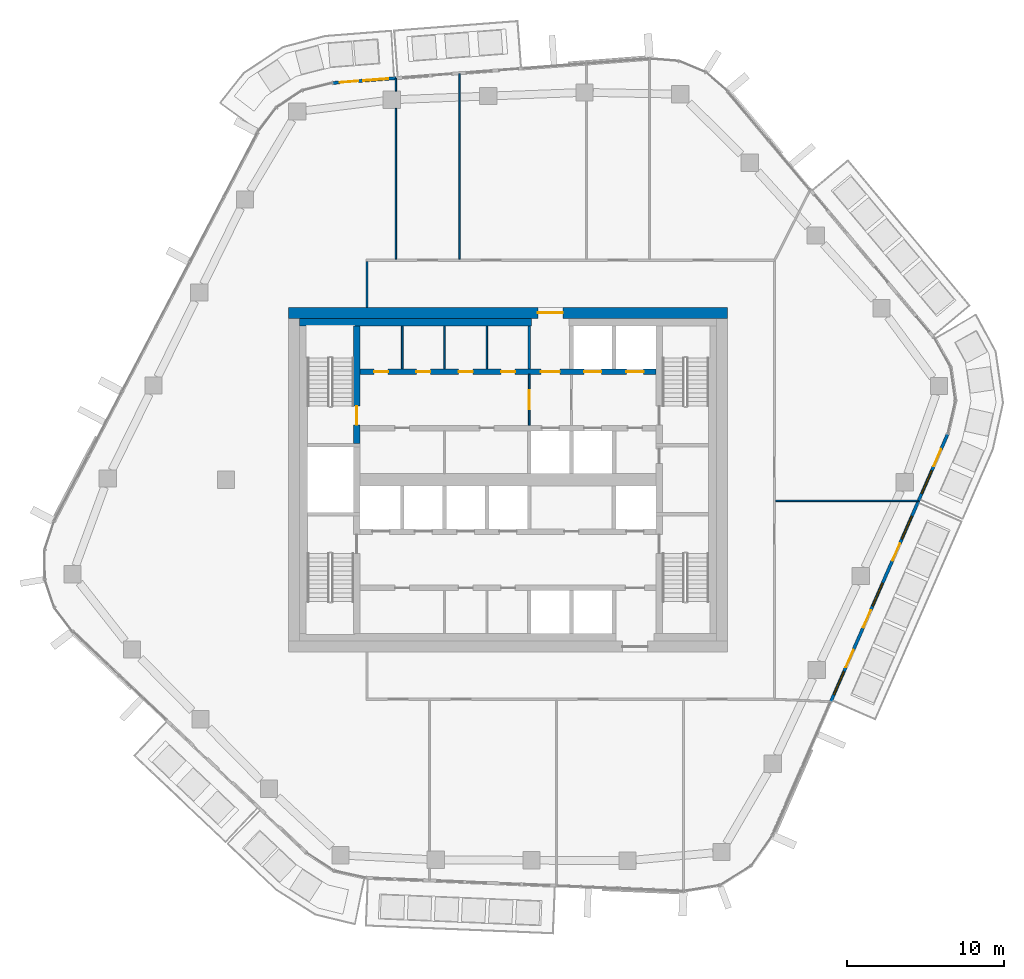
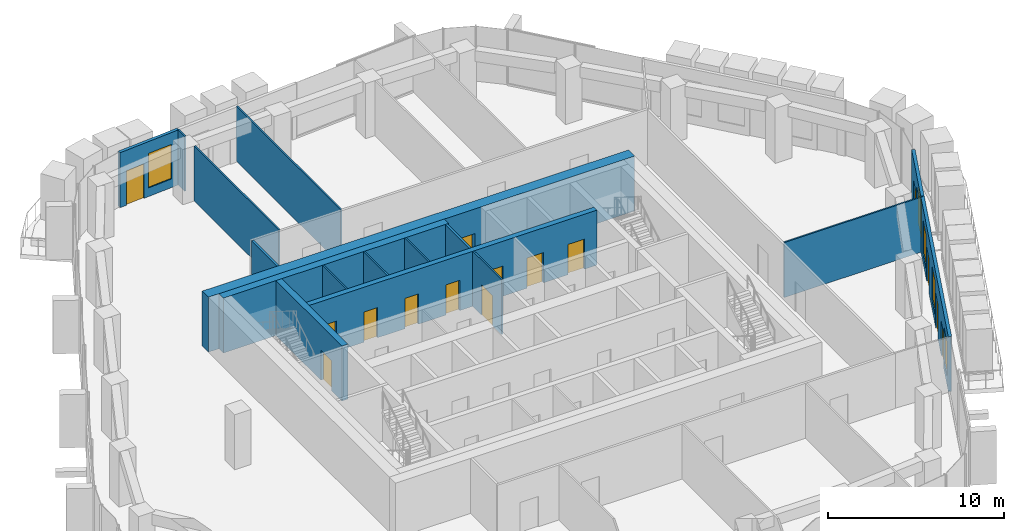
# One storey, part 12 of 20: 17 walls, 15 doors, 5 windows, 20 openings.
"""IFC4 building model written with IfcOpenShell, lengths in metres."""

from ifc_helpers import new_model, si_unit, direction, frame, frame_2d, origin, place, context, subcontext, project, spatial, rectangle, extrude, material, layer, layer_set, type_object, element, fill, save


model = new_model("IFC4")

# Units and contexts
model_context = context("Model", 3, precision=1e-05, world=origin(), true_north=direction((0.0, 1.0)))
body_context = subcontext(model_context, "Body", "Model", "MODEL_VIEW")
ifc_project = project(units=[si_unit("LENGTHUNIT", "METRE"), si_unit("AREAUNIT", "SQUARE_METRE"), si_unit("VOLUMEUNIT", "CUBIC_METRE"), si_unit("PLANEANGLEUNIT", "RADIAN"), si_unit("MASSUNIT", "GRAM", prefix="KILO")], contexts=[model_context])

# Site, building, storey
site_placement = place(None, origin())
site = spatial("IfcSite", under=ifc_project, at=site_placement, CompositionType="ELEMENT")
building_placement = place(site_placement, origin())
building = spatial("IfcBuilding", under=site, at=building_placement, Name="Dongbaek Canopy Tower", CompositionType="ELEMENT")
storey_placement = place(building_placement, frame((0.0, 0.0, 245.39990234375)))
storey = spatial("IfcBuildingStorey", under=building, at=storey_placement, Name="L51", CompositionType="ELEMENT", Elevation=245.39990234375)

# Wall, openings, doors
ifc_material_1 = material(Name="Concrete C60/75", Category="concrete")
ifc_layer_1 = layer(ifc_material_1, 0.35009765625)
ifc_layer_set_1 = layer_set([ifc_layer_1], Name="Core lobby wall 350 Concrete C60/75")
wall_type_1 = type_object("IfcWallType", Name="Core lobby wall 350 Concrete C60/75", PredefinedType="SHEAR", material=ifc_layer_set_1)
wall_1_placement = place(storey_placement, frame((-9.449951171875, 6.89990234375, 0.0), z_axis=(0.0, 0.0, 1.0), x_axis=(1.0, 0.0, 0.0)))
wall_1 = element("IfcWall", 1, at=wall_1_placement, inside=storey, type_object=wall_type_1, Name="Core wall", PredefinedType="SHEAR", context=body_context, shape_type="SweptSolid", body=[
    extrude(rectangle(XDim=18.89990234375, YDim=0.35009765625, at=frame_2d((9.449951171875, 0.0))), origin(), (0.0, 0.0, 1.0), 3.820068359375),
])
opening_1_placement = place(wall_1_placement, frame((11.550048828125, 0.0, 0.0)))
opening_1 = element("IfcOpeningElement", 2, at=opening_1_placement, cuts=wall_1, Name="Opening L51-D013", PredefinedType="OPENING", context=body_context, shape_type="SweptSolid", body=[
    extrude(rectangle(XDim=1.199951171875, YDim=2.10009765625, at=frame_2d((0.60009765625, 1.050048828125))), frame((0.0, 0.18505859375, 0.0), z_axis=(0.0, -1.0, 0.0), x_axis=(1.0, 0.0, 0.0)), (0.0, 0.0, 1.0), 0.3701171875),
])
opening_2_placement = place(wall_1_placement, frame((14.300048828125, 0.0, 0.0)))
opening_2 = element("IfcOpeningElement", 3, at=opening_2_placement, cuts=wall_1, Name="Opening L51-D014", PredefinedType="OPENING", context=body_context, shape_type="SweptSolid", body=[
    extrude(rectangle(XDim=1.10009765625, YDim=2.10009765625, at=frame_2d((0.550048828125, 1.050048828125))), frame((0.0, 0.18505859375, 0.0), z_axis=(0.0, -1.0, 0.0), x_axis=(1.0, 0.0, 0.0)), (0.0, 0.0, 1.0), 0.3701171875),
])
opening_3_placement = place(wall_1_placement, frame((17.0, 0.0, 0.0)))
opening_3 = element("IfcOpeningElement", 4, at=opening_3_placement, cuts=wall_1, Name="Opening L51-D015", PredefinedType="OPENING", context=body_context, shape_type="SweptSolid", body=[
    extrude(rectangle(XDim=1.10009765625, YDim=2.10009765625, at=frame_2d((0.550048828125, 1.050048828125))), frame((0.0, 0.18505859375, 0.0), z_axis=(0.0, -1.0, 0.0), x_axis=(1.0, 0.0, 0.0)), (0.0, 0.0, 1.0), 0.3701171875),
])
opening_4_placement = place(wall_1_placement, frame((0.89990234375, 0.0, 0.0)))
opening_4 = element("IfcOpeningElement", 5, at=opening_4_placement, cuts=wall_1, Name="Opening L51-D026", PredefinedType="OPENING", context=body_context, shape_type="SweptSolid", body=[
    extrude(rectangle(XDim=0.89990234375, YDim=2.10009765625, at=frame_2d((0.449951171875, 1.050048828125))), frame((0.0, 0.18505859375, 0.0), z_axis=(0.0, -1.0, 0.0), x_axis=(1.0, 0.0, 0.0)), (0.0, 0.0, 1.0), 0.3701171875),
])
opening_5_placement = place(wall_1_placement, frame((3.60009765625, 0.0, 0.0)))
opening_5 = element("IfcOpeningElement", 6, at=opening_5_placement, cuts=wall_1, Name="Opening L51-D027", PredefinedType="OPENING", context=body_context, shape_type="SweptSolid", body=[
    extrude(rectangle(XDim=0.89990234375, YDim=2.10009765625, at=frame_2d((0.449951171875, 1.050048828125))), frame((0.0, 0.18505859375, 0.0), z_axis=(0.0, -1.0, 0.0), x_axis=(1.0, 0.0, 0.0)), (0.0, 0.0, 1.0), 0.3701171875),
])
opening_6_placement = place(wall_1_placement, frame((6.300048828125, 0.0, 0.0)))
opening_6 = element("IfcOpeningElement", 7, at=opening_6_placement, cuts=wall_1, Name="Opening L51-D028", PredefinedType="OPENING", context=body_context, shape_type="SweptSolid", body=[
    extrude(rectangle(XDim=0.89990234375, YDim=2.10009765625, at=frame_2d((0.449951171875, 1.050048828125))), frame((0.0, 0.18505859375, 0.0), z_axis=(0.0, -1.0, 0.0), x_axis=(1.0, 0.0, 0.0)), (0.0, 0.0, 1.0), 0.3701171875),
])
opening_7_placement = place(wall_1_placement, frame((9.0, 0.0, 0.0)))
opening_7 = element("IfcOpeningElement", 8, at=opening_7_placement, cuts=wall_1, Name="Opening L51-D029", PredefinedType="OPENING", context=body_context, shape_type="SweptSolid", body=[
    extrude(rectangle(XDim=0.89990234375, YDim=2.10009765625, at=frame_2d((0.449951171875, 1.050048828125))), frame((0.0, 0.18505859375, 0.0), z_axis=(0.0, -1.0, 0.0), x_axis=(1.0, 0.0, 0.0)), (0.0, 0.0, 1.0), 0.3701171875),
])
ifc_material_2 = material(Name="Steel", Category="steel")
door_type_1 = type_object("IfcDoorType", Name="Core room door 900 x 2100", OperationType="SINGLE_SWING_LEFT", PredefinedType="DOOR", material=ifc_material_2)
door_1_placement = place(opening_4_placement, origin())
door_1 = element("IfcDoor", 9, at=door_1_placement, inside=storey, type_object=door_type_1, Name="Door L51-D026", OperationType="SINGLE_SWING_RIGHT", OverallHeight=2.10009765625, OverallWidth=0.89990234375, PredefinedType="DOOR", context=body_context, shape_type="SweptSolid", body=[
    extrude(rectangle(XDim=0.89990234375, YDim=2.10009765625, at=frame_2d((0.449951171875, 1.050048828125))), frame((0.0, 0.02490234375, 0.0), z_axis=(0.0, -1.0, 0.0), x_axis=(1.0, 0.0, 0.0)), (0.0, 0.0, 1.0), 0.050048828125),
])
fill(opening_4, door_1)
door_2_placement = place(opening_5_placement, origin())
door_2 = element("IfcDoor", 10, at=door_2_placement, inside=storey, type_object=door_type_1, Name="Door L51-D027", OperationType="SINGLE_SWING_LEFT", OverallHeight=2.10009765625, OverallWidth=0.89990234375, PredefinedType="DOOR", context=body_context, shape_type="SweptSolid", body=[
    extrude(rectangle(XDim=0.89990234375, YDim=2.10009765625, at=frame_2d((0.449951171875, 1.050048828125))), frame((0.0, 0.02490234375, 0.0), z_axis=(0.0, -1.0, 0.0), x_axis=(1.0, 0.0, 0.0)), (0.0, 0.0, 1.0), 0.050048828125),
])
fill(opening_5, door_2)
door_3_placement = place(opening_6_placement, origin())
door_3 = element("IfcDoor", 11, at=door_3_placement, inside=storey, type_object=door_type_1, Name="Door L51-D028", OperationType="SINGLE_SWING_RIGHT", OverallHeight=2.10009765625, OverallWidth=0.89990234375, PredefinedType="DOOR", context=body_context, shape_type="SweptSolid", body=[
    extrude(rectangle(XDim=0.89990234375, YDim=2.10009765625, at=frame_2d((0.449951171875, 1.050048828125))), frame((0.0, 0.02490234375, 0.0), z_axis=(0.0, -1.0, 0.0), x_axis=(1.0, 0.0, 0.0)), (0.0, 0.0, 1.0), 0.050048828125),
])
fill(opening_6, door_3)
door_4_placement = place(opening_7_placement, origin())
door_4 = element("IfcDoor", 12, at=door_4_placement, inside=storey, type_object=door_type_1, Name="Door L51-D029", OperationType="SINGLE_SWING_LEFT", OverallHeight=2.10009765625, OverallWidth=0.89990234375, PredefinedType="DOOR", context=body_context, shape_type="SweptSolid", body=[
    extrude(rectangle(XDim=0.89990234375, YDim=2.10009765625, at=frame_2d((0.449951171875, 1.050048828125))), frame((0.0, 0.02490234375, 0.0), z_axis=(0.0, -1.0, 0.0), x_axis=(1.0, 0.0, 0.0)), (0.0, 0.0, 1.0), 0.050048828125),
])
fill(opening_7, door_4)
ifc_material_3 = material(Name="Steel", Category="steel")
door_type_2 = type_object("IfcDoorType", Name="Fire lobby door 1200 x 2100", OperationType="SINGLE_SWING_LEFT", PredefinedType="DOOR", material=ifc_material_3)
door_5_placement = place(opening_1_placement, origin())
door_5 = element("IfcDoor", 13, at=door_5_placement, inside=storey, type_object=door_type_2, Name="Door L51-D013", OperationType="SINGLE_SWING_LEFT", OverallHeight=2.10009765625, OverallWidth=1.199951171875, PredefinedType="DOOR", context=body_context, shape_type="SweptSolid", body=[
    extrude(rectangle(XDim=1.199951171875, YDim=2.10009765625, at=frame_2d((0.60009765625, 1.050048828125))), frame((0.0, 0.02490234375, 0.0), z_axis=(0.0, -1.0, 0.0), x_axis=(1.0, 0.0, 0.0)), (0.0, 0.0, 1.0), 0.050048828125),
])
fill(opening_1, door_5)
ifc_material_4 = material(Name="Stainless steel", Category="steel")
door_type_3 = type_object("IfcDoorType", Name="Lift landing door 1100 x 2100", OperationType="DOUBLE_DOOR_SLIDING", PredefinedType="DOOR", material=ifc_material_4)
door_6_placement = place(opening_2_placement, origin())
door_6 = element("IfcDoor", 14, at=door_6_placement, inside=storey, type_object=door_type_3, Name="Landing door FF1", OperationType="DOUBLE_DOOR_SLIDING", OverallHeight=2.10009765625, OverallWidth=1.10009765625, PredefinedType="DOOR", context=body_context, shape_type="SweptSolid", body=[
    extrude(rectangle(XDim=1.10009765625, YDim=2.10009765625, at=frame_2d((0.550048828125, 1.050048828125))), frame((0.0, 0.02490234375, 0.0), z_axis=(0.0, -1.0, 0.0), x_axis=(1.0, 0.0, 0.0)), (0.0, 0.0, 1.0), 0.050048828125),
])
fill(opening_2, door_6)
door_7_placement = place(opening_3_placement, origin())
door_7 = element("IfcDoor", 15, at=door_7_placement, inside=storey, type_object=door_type_3, Name="Landing door FF2", OperationType="DOUBLE_DOOR_SLIDING", OverallHeight=2.10009765625, OverallWidth=1.10009765625, PredefinedType="DOOR", context=body_context, shape_type="SweptSolid", body=[
    extrude(rectangle(XDim=1.10009765625, YDim=2.10009765625, at=frame_2d((0.550048828125, 1.050048828125))), frame((0.0, 0.02490234375, 0.0), z_axis=(0.0, -1.0, 0.0), x_axis=(1.0, 0.0, 0.0)), (0.0, 0.0, 1.0), 0.050048828125),
])
fill(opening_3, door_7)

# Wall, opening, door
ifc_material_5 = material(Name="Concrete C70/85", Category="concrete")
ifc_layer_2 = layer(ifc_material_5, 0.699951171875)
ifc_layer_set_2 = layer_set([ifc_layer_2], Name="Core outer wall 700 Concrete C70/85")
wall_type_2 = type_object("IfcWallType", Name="Core outer wall 700 Concrete C70/85", PredefinedType="SHEAR", material=ifc_layer_set_2)
wall_2_placement = place(storey_placement, frame((-14.0, 10.64990234375, 0.0), z_axis=(0.0, 0.0, 1.0), x_axis=(1.0, 0.0, 0.0)))
wall_2 = element("IfcWall", 16, at=wall_2_placement, inside=storey, type_object=wall_type_2, Name="Core wall", PredefinedType="SHEAR", context=body_context, shape_type="SweptSolid", body=[
    extrude(rectangle(XDim=28.0, YDim=0.699951171875, at=frame_2d((14.0, 0.0))), origin(), (0.0, 0.0, 1.0), 3.820068359375),
])
opening_8_placement = place(wall_2_placement, frame((15.89990234375, 0.0, 0.0)))
opening_8 = element("IfcOpeningElement", 17, at=opening_8_placement, cuts=wall_2, Name="Opening L51-D012", PredefinedType="OPENING", context=body_context, shape_type="SweptSolid", body=[
    extrude(rectangle(XDim=1.60009765625, YDim=2.10009765625, at=frame_2d((0.800048828125, 1.050048828125))), frame((0.0, 0.35986328125, 0.0), z_axis=(0.0, -1.0, 0.0), x_axis=(1.0, 0.0, 0.0)), (0.0, 0.0, 1.0), 0.719970703125),
])
ifc_material_6 = material(Name="Steel", Category="steel")
door_type_4 = type_object("IfcDoorType", Name="Core exit door 1600 x 2100", OperationType="DOUBLE_DOOR_SINGLE_SWING", PredefinedType="DOOR", material=ifc_material_6)
door_8_placement = place(opening_8_placement, origin())
door_8 = element("IfcDoor", 18, at=door_8_placement, inside=storey, type_object=door_type_4, Name="Core exit door", OperationType="DOUBLE_DOOR_SINGLE_SWING", OverallHeight=2.10009765625, OverallWidth=1.60009765625, PredefinedType="DOOR", context=body_context, shape_type="SweptSolid", body=[
    extrude(rectangle(XDim=1.60009765625, YDim=2.10009765625, at=frame_2d((0.800048828125, 1.050048828125))), frame((0.0, 0.02490234375, 0.0), z_axis=(0.0, -1.0, 0.0), x_axis=(1.0, 0.0, 0.0)), (0.0, 0.0, 1.0), 0.050048828125),
])
fill(opening_8, door_8)

# Walls
ifc_material_7 = material(Name="Concrete C60/75", Category="concrete")
ifc_layer_3 = layer(ifc_material_7, 0.5)
ifc_layer_set_3 = layer_set([ifc_layer_3], Name="Core wall lining 500 Concrete C60/75")
wall_type_3 = type_object("IfcWallType", Name="Core wall lining 500 Concrete C60/75", PredefinedType="SHEAR", material=ifc_layer_set_3)
wall_3_placement = place(storey_placement, frame((-13.300048828125, 10.050048828125, 0.0), z_axis=(0.0, 0.0, 1.0), x_axis=(1.0, 0.0, 0.0)))
element("IfcWall", 19, at=wall_3_placement, inside=storey, type_object=wall_type_3, Name="Core wall lining", PredefinedType="SHEAR", context=body_context, shape_type="SweptSolid", body=[
    extrude(rectangle(XDim=14.800048828125, YDim=0.5, at=frame_2d((7.39990234375, 0.0))), origin(), (0.0, 0.0, 1.0), 3.820068359375),
])
ifc_material_8 = material(Name="Gypsum board partition, steel stud, 2 x 15 mm fire board", Category="steel")
ifc_layer_4 = layer(ifc_material_8, 0.14990234375)
ifc_layer_set_4 = layer_set([ifc_layer_4], Name="Fire-rated partition 150 gypsum board")
wall_type_4 = type_object("IfcWallType", Name="Fire-rated partition 150 gypsum board", PredefinedType="PARTITIONING", material=ifc_layer_set_4)
wall_4_placement = place(storey_placement, frame((-9.0, 11.0, 0.0), z_axis=(0.0, 0.0, 1.0), x_axis=(0.0, 1.0, 0.0)))
element("IfcWall", 20, at=wall_4_placement, inside=storey, type_object=wall_type_4, Name="Corridor partition", PredefinedType="PARTITIONING", context=body_context, shape_type="SweptSolid", body=[
    extrude(rectangle(XDim=2.925048828125, YDim=0.14990234375, at=frame_2d((1.46240234375, 0.0))), origin(), (0.0, 0.0, 1.0), 3.820068359375),
])
wall_5_placement = place(storey_placement, frame((1.35009765625, 7.074951171875, 0.0), z_axis=(0.0, 0.0, 1.0), x_axis=(0.0, 1.0, 0.0)))
element("IfcWall", 21, at=wall_5_placement, inside=storey, type_object=wall_type_4, Name="Fire lobby partition", PredefinedType="PARTITIONING", context=body_context, shape_type="SweptSolid", body=[
    extrude(rectangle(XDim=2.72509765625, YDim=0.14990234375, at=frame_2d((1.362548828125, 0.0))), origin(), (0.0, 0.0, 1.0), 3.820068359375),
])
ifc_material_9 = material(Name="Gypsum board partition, steel stud, 2 x 12.5 mm board", Category="steel")
ifc_layer_5 = layer(ifc_material_9, 0.10009765625)
ifc_layer_set_5 = layer_set([ifc_layer_5], Name="Partition 100 gypsum board")
wall_type_5 = type_object("IfcWallType", Name="Partition 100 gypsum board", PredefinedType="PARTITIONING", material=ifc_layer_set_5)
wall_6_placement = place(storey_placement, frame((17.074951171875, -1.341064453125, 0.0), z_axis=(0.0, 0.0, 1.0), x_axis=(1.0, 0.0, 0.0)))
element("IfcWall", 22, at=wall_6_placement, inside=storey, type_object=wall_type_5, Name="Partition", PredefinedType="PARTITIONING", context=body_context, shape_type="SweptSolid", body=[
    extrude(rectangle(XDim=9.090087890625, YDim=0.10009765625, at=frame_2d((4.544921875, 0.0))), origin(), (0.0, 0.0, 1.0), 3.820068359375),
])
wall_7_placement = place(storey_placement, frame((-3.10400390625, 14.074951171875, 0.0), z_axis=(0.0, 0.0, 1.0), x_axis=(0.0, 1.0, 0.0)))
element("IfcWall", 23, at=wall_7_placement, inside=storey, type_object=wall_type_5, Name="Partition", PredefinedType="PARTITIONING", context=body_context, shape_type="SweptSolid", body=[
    extrude(rectangle(XDim=11.83935546875, YDim=0.10009765625, at=frame_2d((5.919677734375, 0.0))), origin(), (0.0, 0.0, 1.0), 3.820068359375),
])
wall_8_placement = place(storey_placement, frame((-7.153076171875, 14.074951171875, 0.0), z_axis=(0.0, 0.0, 1.0), x_axis=(0.0, 1.0, 0.0)))
element("IfcWall", 24, at=wall_8_placement, inside=storey, type_object=wall_type_5, Name="Partition", PredefinedType="PARTITIONING", context=body_context, shape_type="SweptSolid", body=[
    extrude(rectangle(XDim=9.6181640625, YDim=0.10009765625, at=frame_2d((4.80908203125, 0.0))), origin(), (0.0, 0.0, 1.0), 3.820068359375),
])
wall_9_placement = place(storey_placement, frame((-7.153076171875, 24.79296875, 0.0), z_axis=(0.0, 0.0, 1.0), x_axis=(0.0, 1.0, 0.0)))
element("IfcWall", 25, at=wall_9_placement, inside=storey, type_object=wall_type_5, Name="Partition", PredefinedType="PARTITIONING", context=body_context, shape_type="SweptSolid", body=[
    extrude(rectangle(XDim=0.810546875, YDim=0.10009765625, at=frame_2d((0.4052734375, 0.0))), origin(), (0.0, 0.0, 1.0), 3.820068359375),
])

# Wall, opening, door
wall_10_placement = place(storey_placement, frame((1.35009765625, 6.72509765625, 0.0), z_axis=(0.0, 0.0, 1.0), x_axis=(0.0, -1.0, 0.0)))
wall_10 = element("IfcWall", 26, at=wall_10_placement, inside=storey, type_object=wall_type_5, Name="Core partition", PredefinedType="PARTITIONING", context=body_context, shape_type="SweptSolid", body=[
    extrude(rectangle(XDim=3.25, YDim=0.10009765625, at=frame_2d((1.625, 0.0))), origin(), (0.0, 0.0, 1.0), 3.820068359375),
])
opening_9_placement = place(wall_10_placement, frame((1.02490234375, 0.0, 0.0)))
opening_9 = element("IfcOpeningElement", 27, at=opening_9_placement, cuts=wall_10, Name="Opening L51-D040", PredefinedType="OPENING", context=body_context, shape_type="SweptSolid", body=[
    extrude(rectangle(XDim=1.199951171875, YDim=2.10009765625, at=frame_2d((0.60009765625, 1.050048828125))), frame((0.0, 0.06005859375, 0.0), z_axis=(0.0, -1.0, 0.0), x_axis=(1.0, 0.0, 0.0)), (0.0, 0.0, 1.0), 0.1201171875),
])
door_9_placement = place(opening_9_placement, origin())
door_9 = element("IfcDoor", 28, at=door_9_placement, inside=storey, type_object=door_type_2, Name="Door L51-D040", OperationType="SINGLE_SWING_LEFT", OverallHeight=2.10009765625, OverallWidth=1.199951171875, PredefinedType="DOOR", context=body_context, shape_type="SweptSolid", body=[
    extrude(rectangle(XDim=1.199951171875, YDim=2.10009765625, at=frame_2d((0.60009765625, 1.050048828125))), frame((0.0, 0.02490234375, 0.0), z_axis=(0.0, -1.0, 0.0), x_axis=(1.0, 0.0, 0.0)), (0.0, 0.0, 1.0), 0.050048828125),
])
fill(opening_9, door_9)

# Walls
for number, where, z_axis, x_axis, name in (
    (29, (-1.35009765625, 7.074951171875, 0.0), (0.0, 0.0, 1.0), (0.0, 1.0, 0.0), "Core partition"),
    (30, (-4.050048828125, 7.074951171875, 0.0), (0.0, 0.0, 1.0), (0.0, 1.0, 0.0), "Core partition"),
    (31, (-6.75, 7.074951171875, 0.0), (0.0, 0.0, 1.0), (0.0, 1.0, 0.0), "Core partition"),
):
    element("IfcWall", number, at=place(storey_placement, frame(where, z_axis=z_axis, x_axis=x_axis)), inside=storey, type_object=wall_type_5, Name=name, PredefinedType="PARTITIONING", context=body_context, shape_type="SweptSolid", body=[
        extrude(rectangle(XDim=2.72509765625, YDim=0.10009765625, at=frame_2d((1.362548828125, 0.0))), origin(), (0.0, 0.0, 1.0), 3.820068359375),
    ])

# Wall, opening, door
ifc_material_10 = material(Name="Concrete C60/75", Category="concrete")
ifc_layer_6 = layer(ifc_material_10, 0.39990234375)
ifc_layer_set_6 = layer_set([ifc_layer_6], Name="Stair wall 400 Concrete C60/75")
wall_type_6 = type_object("IfcWallType", Name="Stair wall 400 Concrete C60/75", PredefinedType="SHEAR", material=ifc_layer_set_6)
wall_11_placement = place(storey_placement, frame((-9.64990234375, 2.300048828125, 0.0), z_axis=(0.0, 0.0, 1.0), x_axis=(0.0, 1.0, 0.0)))
wall_11 = element("IfcWall", 32, at=wall_11_placement, inside=storey, type_object=wall_type_6, Name="Stair wall", PredefinedType="SHEAR", context=body_context, shape_type="SweptSolid", body=[
    extrude(rectangle(XDim=7.5, YDim=0.39990234375, at=frame_2d((3.75, 0.0))), origin(), (0.0, 0.0, 1.0), 3.820068359375),
])
opening_10_placement = place(wall_11_placement, frame((1.199951171875, 0.0, 0.0)))
opening_10 = element("IfcOpeningElement", 33, at=opening_10_placement, cuts=wall_11, Name="Opening L51-D037", PredefinedType="OPENING", context=body_context, shape_type="SweptSolid", body=[
    extrude(rectangle(XDim=1.199951171875, YDim=2.10009765625, at=frame_2d((0.60009765625, 1.050048828125))), frame((0.0, 0.2099609375, 0.0), z_axis=(0.0, -1.0, 0.0), x_axis=(1.0, 0.0, 0.0)), (0.0, 0.0, 1.0), 0.419921875),
])
ifc_material_11 = material(Name="Steel", Category="steel")
door_type_5 = type_object("IfcDoorType", Name="Stair door 1200 x 2100", OperationType="SINGLE_SWING_LEFT", PredefinedType="DOOR", material=ifc_material_11)
door_10_placement = place(opening_10_placement, origin())
door_10 = element("IfcDoor", 34, at=door_10_placement, inside=storey, type_object=door_type_5, Name="Stair C door", OperationType="SINGLE_SWING_RIGHT", OverallHeight=2.10009765625, OverallWidth=1.199951171875, PredefinedType="DOOR", context=body_context, shape_type="SweptSolid", body=[
    extrude(rectangle(XDim=1.199951171875, YDim=2.10009765625, at=frame_2d((0.60009765625, 1.050048828125))), frame((0.0, 0.02490234375, 0.0), z_axis=(0.0, -1.0, 0.0), x_axis=(1.0, 0.0, 0.0)), (0.0, 0.0, 1.0), 0.050048828125),
])
fill(opening_10, door_10)

# Wall, openings, door, window
ifc_material_12 = material(Name="Aluminium window wall", Category="aluminium")
ifc_layer_7 = layer(ifc_material_12, 0.199951171875)
ifc_layer_set_7 = layer_set([ifc_layer_7], Name="Window wall 200")
wall_type_7 = type_object("IfcWallType", Name="Window wall 200", PredefinedType="SOLIDWALL", material=ifc_layer_set_7)
wall_12_placement = place(storey_placement, frame((-7.153076171875, 25.62353515625, 0.0), z_axis=(0.0, 0.0, 1.0), x_axis=(-0.997068643963, -0.076512216183, 0.0)))
wall_12 = element("IfcWall", 35, at=wall_12_placement, inside=storey, type_object=wall_type_7, Name="Window wall L51 7", PredefinedType="SOLIDWALL", context=body_context, shape_type="SweptSolid", body=[
    extrude(rectangle(XDim=4.052490234375, YDim=0.199951171875, at=frame_2d((2.0263671875, 0.0))), origin(), (0.0, 0.0, 1.0), 3.820068359375),
])
opening_11_placement = place(wall_12_placement, frame((0.5, 0.0, 0.60009765625)))
opening_11 = element("IfcOpeningElement", 36, at=opening_11_placement, cuts=wall_12, Name="Opening W1", PredefinedType="OPENING", context=body_context, shape_type="SweptSolid", body=[
    extrude(rectangle(XDim=1.60009765625, YDim=2.39990234375, at=frame_2d((0.800048828125, 1.199951171875))), frame((0.0, 0.10986328125, 0.0), z_axis=(0.0, -1.0, 0.0), x_axis=(1.0, 0.0, 0.0)), (0.0, 0.0, 1.0), 0.219970703125),
])
opening_12_placement = place(wall_12_placement, frame((2.39990234375, 0.0, 0.0)))
opening_12 = element("IfcOpeningElement", 37, at=opening_12_placement, cuts=wall_12, Name="Opening L51-B06", PredefinedType="OPENING", context=body_context, shape_type="SweptSolid", body=[
    extrude(rectangle(XDim=1.199951171875, YDim=2.39990234375, at=frame_2d((0.60009765625, 1.199951171875))), frame((0.0, 0.10986328125, 0.0), z_axis=(0.0, -1.0, 0.0), x_axis=(1.0, 0.0, 0.0)), (0.0, 0.0, 1.0), 0.219970703125),
])
ifc_material_13 = material(Name="Clear glazing in aluminium frame", Category="aluminium")
door_type_6 = type_object("IfcDoorType", Name="Balcony door BD1 1200 x 2400", OperationType="SLIDING_TO_LEFT", PredefinedType="DOOR", material=ifc_material_13)
door_11_placement = place(opening_12_placement, origin())
door_11 = element("IfcDoor", 38, at=door_11_placement, inside=storey, type_object=door_type_6, Name="Balcony door L51-B06", OperationType="SLIDING_TO_LEFT", OverallHeight=2.39990234375, OverallWidth=1.199951171875, PredefinedType="DOOR", context=body_context, shape_type="SweptSolid", body=[
    extrude(rectangle(XDim=1.199951171875, YDim=2.39990234375, at=frame_2d((0.60009765625, 1.199951171875))), frame((0.0, 0.02490234375, 0.0), z_axis=(0.0, -1.0, 0.0), x_axis=(1.0, 0.0, 0.0)), (0.0, 0.0, 1.0), 0.050048828125),
])
fill(opening_12, door_11)
ifc_material_14 = material(Name="Clear glazing in aluminium frame", Category="aluminium")
window_type = type_object("IfcWindowType", Name="Window W1 1600 x 2400", PartitioningType="SINGLE_PANEL", PredefinedType="WINDOW", material=ifc_material_14)
window_1_placement = place(opening_11_placement, origin())
window_1 = element("IfcWindow", 39, at=window_1_placement, inside=storey, type_object=window_type, Name="Window L51 7.1", OverallHeight=2.39990234375, OverallWidth=1.60009765625, PartitioningType="SINGLE_PANEL", PredefinedType="WINDOW", context=body_context, shape_type="SweptSolid", body=[
    extrude(rectangle(XDim=1.60009765625, YDim=2.39990234375, at=frame_2d((0.800048828125, 1.199951171875))), frame((0.0, 0.030029296875, 0.0), z_axis=(0.0, -1.0, 0.0), x_axis=(1.0, 0.0, 0.0)), (0.0, 0.0, 1.0), 0.06005859375),
])
fill(opening_11, window_1)

# Wall, openings, doors, windows
wall_13_placement = place(storey_placement, frame((20.588134765625, -14.15771484375, 0.0), z_axis=(0.0, 0.0, 1.0), x_axis=(0.400286749381, 0.916389937892, 0.0)))
wall_13 = element("IfcWall", 40, at=wall_13_placement, inside=storey, type_object=wall_type_7, Name="Window wall L51 5", PredefinedType="SOLIDWALL", context=body_context, shape_type="SweptSolid", body=[
    extrude(rectangle(XDim=13.986572265625, YDim=0.199951171875, at=frame_2d((6.9931640625, 0.0))), origin(), (0.0, 0.0, 1.0), 3.820068359375),
])
opening_13_placement = place(wall_13_placement, frame((0.5, 0.0, 0.60009765625)))
opening_13 = element("IfcOpeningElement", 41, at=opening_13_placement, cuts=wall_13, Name="Opening W1", PredefinedType="OPENING", context=body_context, shape_type="SweptSolid", body=[
    extrude(rectangle(XDim=1.60009765625, YDim=2.39990234375, at=frame_2d((0.800048828125, 1.199951171875))), frame((0.0, 0.10986328125, 0.0), z_axis=(0.0, -1.0, 0.0), x_axis=(1.0, 0.0, 0.0)), (0.0, 0.0, 1.0), 0.219970703125),
])
opening_14_placement = place(wall_13_placement, frame((2.39990234375, 0.0, 0.0)))
opening_14 = element("IfcOpeningElement", 42, at=opening_14_placement, cuts=wall_13, Name="Opening L51-B13", PredefinedType="OPENING", context=body_context, shape_type="SweptSolid", body=[
    extrude(rectangle(XDim=1.199951171875, YDim=2.39990234375, at=frame_2d((0.60009765625, 1.199951171875))), frame((0.0, 0.10986328125, 0.0), z_axis=(0.0, -1.0, 0.0), x_axis=(1.0, 0.0, 0.0)), (0.0, 0.0, 1.0), 0.219970703125),
])
opening_15_placement = place(wall_13_placement, frame((6.662109375, 0.0, 0.60009765625)))
opening_15 = element("IfcOpeningElement", 43, at=opening_15_placement, cuts=wall_13, Name="Opening W1", PredefinedType="OPENING", context=body_context, shape_type="SweptSolid", body=[
    extrude(rectangle(XDim=1.60009765625, YDim=2.39990234375, at=frame_2d((0.800048828125, 1.199951171875))), frame((0.0, 0.10986328125, 0.0), z_axis=(0.0, -1.0, 0.0), x_axis=(1.0, 0.0, 0.0)), (0.0, 0.0, 1.0), 0.219970703125),
])
opening_16_placement = place(wall_13_placement, frame((5.162109375, 0.0, 0.0)))
opening_16 = element("IfcOpeningElement", 44, at=opening_16_placement, cuts=wall_13, Name="Opening L51-B14", PredefinedType="OPENING", context=body_context, shape_type="SweptSolid", body=[
    extrude(rectangle(XDim=1.199951171875, YDim=2.39990234375, at=frame_2d((0.60009765625, 1.199951171875))), frame((0.0, 0.10986328125, 0.0), z_axis=(0.0, -1.0, 0.0), x_axis=(1.0, 0.0, 0.0)), (0.0, 0.0, 1.0), 0.219970703125),
])
opening_17_placement = place(wall_13_placement, frame((11.324462890625, 0.0, 0.60009765625)))
opening_17 = element("IfcOpeningElement", 45, at=opening_17_placement, cuts=wall_13, Name="Opening W1", PredefinedType="OPENING", context=body_context, shape_type="SweptSolid", body=[
    extrude(rectangle(XDim=1.60009765625, YDim=2.39990234375, at=frame_2d((0.800048828125, 1.199951171875))), frame((0.0, 0.10986328125, 0.0), z_axis=(0.0, -1.0, 0.0), x_axis=(1.0, 0.0, 0.0)), (0.0, 0.0, 1.0), 0.219970703125),
])
opening_18_placement = place(wall_13_placement, frame((9.824462890625, 0.0, 0.0)))
opening_18 = element("IfcOpeningElement", 46, at=opening_18_placement, cuts=wall_13, Name="Opening L51-B15", PredefinedType="OPENING", context=body_context, shape_type="SweptSolid", body=[
    extrude(rectangle(XDim=1.199951171875, YDim=2.39990234375, at=frame_2d((0.60009765625, 1.199951171875))), frame((0.0, 0.10986328125, 0.0), z_axis=(0.0, -1.0, 0.0), x_axis=(1.0, 0.0, 0.0)), (0.0, 0.0, 1.0), 0.219970703125),
])
door_12_placement = place(opening_14_placement, origin())
door_12 = element("IfcDoor", 47, at=door_12_placement, inside=storey, type_object=door_type_6, Name="Balcony door L51-B13", OperationType="SLIDING_TO_LEFT", OverallHeight=2.39990234375, OverallWidth=1.199951171875, PredefinedType="DOOR", context=body_context, shape_type="SweptSolid", body=[
    extrude(rectangle(XDim=1.199951171875, YDim=2.39990234375, at=frame_2d((0.60009765625, 1.199951171875))), frame((0.0, 0.02490234375, 0.0), z_axis=(0.0, -1.0, 0.0), x_axis=(1.0, 0.0, 0.0)), (0.0, 0.0, 1.0), 0.050048828125),
])
fill(opening_14, door_12)
door_13_placement = place(opening_16_placement, origin())
door_13 = element("IfcDoor", 48, at=door_13_placement, inside=storey, type_object=door_type_6, Name="Balcony door L51-B14", OperationType="SLIDING_TO_LEFT", OverallHeight=2.39990234375, OverallWidth=1.199951171875, PredefinedType="DOOR", context=body_context, shape_type="SweptSolid", body=[
    extrude(rectangle(XDim=1.199951171875, YDim=2.39990234375, at=frame_2d((0.60009765625, 1.199951171875))), frame((0.0, 0.02490234375, 0.0), z_axis=(0.0, -1.0, 0.0), x_axis=(1.0, 0.0, 0.0)), (0.0, 0.0, 1.0), 0.050048828125),
])
fill(opening_16, door_13)
door_14_placement = place(opening_18_placement, origin())
door_14 = element("IfcDoor", 49, at=door_14_placement, inside=storey, type_object=door_type_6, Name="Balcony door L51-B15", OperationType="SLIDING_TO_LEFT", OverallHeight=2.39990234375, OverallWidth=1.199951171875, PredefinedType="DOOR", context=body_context, shape_type="SweptSolid", body=[
    extrude(rectangle(XDim=1.199951171875, YDim=2.39990234375, at=frame_2d((0.60009765625, 1.199951171875))), frame((0.0, 0.02490234375, 0.0), z_axis=(0.0, -1.0, 0.0), x_axis=(1.0, 0.0, 0.0)), (0.0, 0.0, 1.0), 0.050048828125),
])
fill(opening_18, door_14)
window_2_placement = place(opening_13_placement, origin())
window_2 = element("IfcWindow", 50, at=window_2_placement, inside=storey, type_object=window_type, Name="Window L51 5.1", OverallHeight=2.39990234375, OverallWidth=1.60009765625, PartitioningType="SINGLE_PANEL", PredefinedType="WINDOW", context=body_context, shape_type="SweptSolid", body=[
    extrude(rectangle(XDim=1.60009765625, YDim=2.39990234375, at=frame_2d((0.800048828125, 1.199951171875))), frame((0.0, 0.030029296875, 0.0), z_axis=(0.0, -1.0, 0.0), x_axis=(1.0, 0.0, 0.0)), (0.0, 0.0, 1.0), 0.06005859375),
])
fill(opening_13, window_2)
window_3_placement = place(opening_15_placement, origin())
window_3 = element("IfcWindow", 51, at=window_3_placement, inside=storey, type_object=window_type, Name="Window L51 5.2", OverallHeight=2.39990234375, OverallWidth=1.60009765625, PartitioningType="SINGLE_PANEL", PredefinedType="WINDOW", context=body_context, shape_type="SweptSolid", body=[
    extrude(rectangle(XDim=1.60009765625, YDim=2.39990234375, at=frame_2d((0.800048828125, 1.199951171875))), frame((0.0, 0.030029296875, 0.0), z_axis=(0.0, -1.0, 0.0), x_axis=(1.0, 0.0, 0.0)), (0.0, 0.0, 1.0), 0.06005859375),
])
fill(opening_15, window_3)
window_4_placement = place(opening_17_placement, origin())
window_4 = element("IfcWindow", 52, at=window_4_placement, inside=storey, type_object=window_type, Name="Window L51 5.3", OverallHeight=2.39990234375, OverallWidth=1.60009765625, PartitioningType="SINGLE_PANEL", PredefinedType="WINDOW", context=body_context, shape_type="SweptSolid", body=[
    extrude(rectangle(XDim=1.60009765625, YDim=2.39990234375, at=frame_2d((0.800048828125, 1.199951171875))), frame((0.0, 0.030029296875, 0.0), z_axis=(0.0, -1.0, 0.0), x_axis=(1.0, 0.0, 0.0)), (0.0, 0.0, 1.0), 0.06005859375),
])
fill(opening_17, window_4)

# Wall, openings, door, window
wall_14_placement = place(storey_placement, frame((26.186767578125, -1.340576171875, 0.0), z_axis=(0.0, 0.0, 1.0), x_axis=(0.400293036608, 0.916387191553, 0.0)))
wall_14 = element("IfcWall", 53, at=wall_14_placement, inside=storey, type_object=wall_type_7, Name="Window wall L51 6", PredefinedType="SOLIDWALL", context=body_context, shape_type="SweptSolid", body=[
    extrude(rectangle(XDim=4.653076171875, YDim=0.199951171875, at=frame_2d((2.32666015625, 0.0))), origin(), (0.0, 0.0, 1.0), 3.820068359375),
])
opening_19_placement = place(wall_14_placement, frame((0.5, 0.0, 0.60009765625)))
opening_19 = element("IfcOpeningElement", 54, at=opening_19_placement, cuts=wall_14, Name="Opening W1", PredefinedType="OPENING", context=body_context, shape_type="SweptSolid", body=[
    extrude(rectangle(XDim=1.60009765625, YDim=2.39990234375, at=frame_2d((0.800048828125, 1.199951171875))), frame((0.0, 0.10986328125, 0.0), z_axis=(0.0, -1.0, 0.0), x_axis=(1.0, 0.0, 0.0)), (0.0, 0.0, 1.0), 0.219970703125),
])
opening_20_placement = place(wall_14_placement, frame((2.39990234375, 0.0, 0.0)))
opening_20 = element("IfcOpeningElement", 55, at=opening_20_placement, cuts=wall_14, Name="Opening L51-B16", PredefinedType="OPENING", context=body_context, shape_type="SweptSolid", body=[
    extrude(rectangle(XDim=1.199951171875, YDim=2.39990234375, at=frame_2d((0.60009765625, 1.199951171875))), frame((0.0, 0.10986328125, 0.0), z_axis=(0.0, -1.0, 0.0), x_axis=(1.0, 0.0, 0.0)), (0.0, 0.0, 1.0), 0.219970703125),
])
door_15_placement = place(opening_20_placement, origin())
door_15 = element("IfcDoor", 56, at=door_15_placement, inside=storey, type_object=door_type_6, Name="Balcony door L51-B16", OperationType="SLIDING_TO_LEFT", OverallHeight=2.39990234375, OverallWidth=1.199951171875, PredefinedType="DOOR", context=body_context, shape_type="SweptSolid", body=[
    extrude(rectangle(XDim=1.199951171875, YDim=2.39990234375, at=frame_2d((0.60009765625, 1.199951171875))), frame((0.0, 0.02490234375, 0.0), z_axis=(0.0, -1.0, 0.0), x_axis=(1.0, 0.0, 0.0)), (0.0, 0.0, 1.0), 0.050048828125),
])
fill(opening_20, door_15)
window_5_placement = place(opening_19_placement, origin())
window_5 = element("IfcWindow", 57, at=window_5_placement, inside=storey, type_object=window_type, Name="Window L51 6.1", OverallHeight=2.39990234375, OverallWidth=1.60009765625, PartitioningType="SINGLE_PANEL", PredefinedType="WINDOW", context=body_context, shape_type="SweptSolid", body=[
    extrude(rectangle(XDim=1.60009765625, YDim=2.39990234375, at=frame_2d((0.800048828125, 1.199951171875))), frame((0.0, 0.030029296875, 0.0), z_axis=(0.0, -1.0, 0.0), x_axis=(1.0, 0.0, 0.0)), (0.0, 0.0, 1.0), 0.06005859375),
])
fill(opening_19, window_5)

save(model, "model.ifc")
